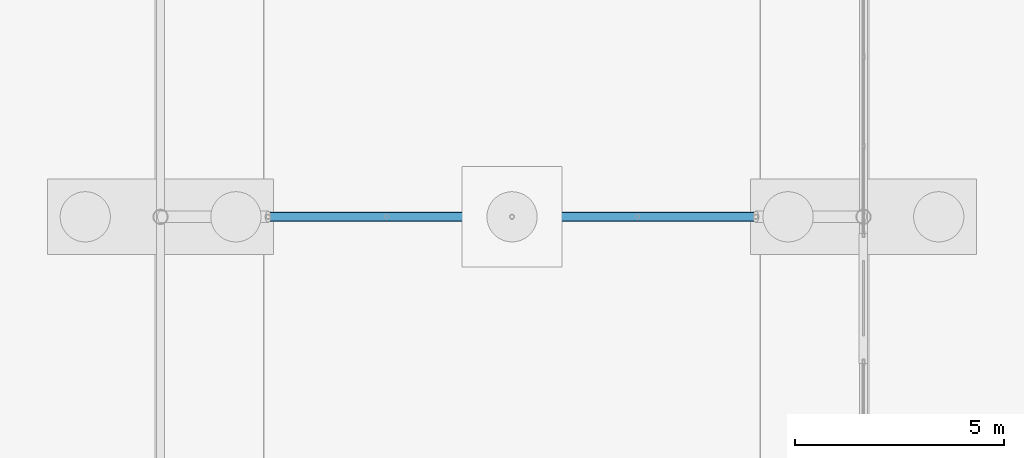
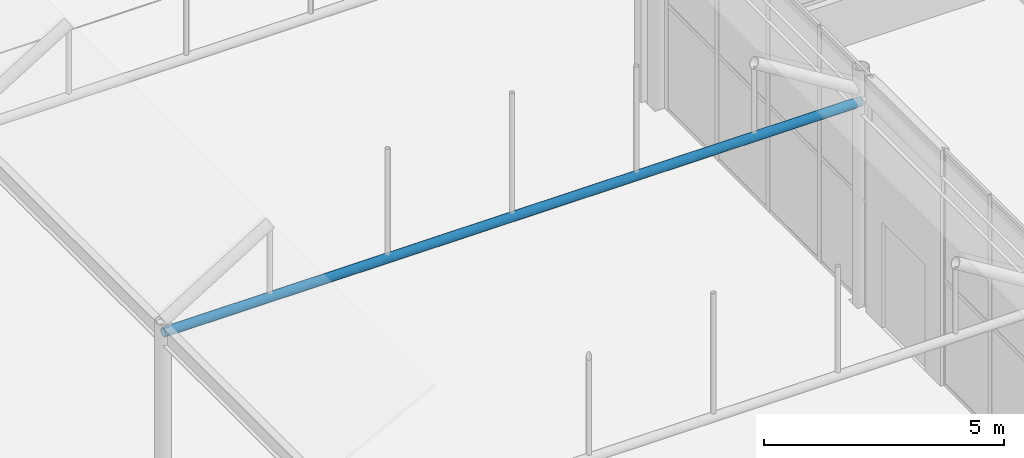
# One storey, part 132 of 212: 1 beam.
"""IFC4 building model written with IfcOpenShell, lengths in metres."""

from ifc_helpers import new_model, si_unit, direction, frame, origin, origin_2d, place, context, subcontext, project, spatial, hollow_circle, extrude, material, material_profile, profile_set, type_object, element, save


model = new_model("IFC4")

# Units and contexts
model_context = context("Model", 3, precision=1e-05, world=origin(), true_north=direction((0.0, 1.0)))
body_context = subcontext(model_context, "Body", "Model", "MODEL_VIEW")
ifc_project = project(units=[si_unit("LENGTHUNIT", "METRE"), si_unit("AREAUNIT", "SQUARE_METRE"), si_unit("VOLUMEUNIT", "CUBIC_METRE"), si_unit("PLANEANGLEUNIT", "RADIAN"), si_unit("MASSUNIT", "GRAM", prefix="KILO")], contexts=[model_context])

# Site, building, storey
site_placement = place(None, origin())
site = spatial("IfcSite", under=ifc_project, at=site_placement, CompositionType="ELEMENT")
building_placement = place(site_placement, origin())
building = spatial("IfcBuilding", under=site, at=building_placement, Name="Catenary Quay Ferry Terminal", CompositionType="ELEMENT")
storey_placement = place(building_placement, origin())
storey = spatial("IfcBuildingStorey", under=building, at=storey_placement, Name="L00", CompositionType="ELEMENT", Elevation=0.0)

# Beam
ifc_material = material(Name="Steel S355", Category="steel")
ifc_material_profile = material_profile(ifc_material, hollow_circle(Radius=0.109619140625, WallThickness=0.010009765625, at=origin_2d()), Name="CHS 219.1x10")
ifc_profile_set = profile_set([ifc_material_profile], Name="Steel S355")
beam_type = type_object("IfcBeamType", Name="TB2 CHS 219.1x10", PredefinedType="BEAM", material=ifc_profile_set)
beam_placement = place(storey_placement, frame((8.39990234375, 134.39990234375, 5.10009765625), z_axis=(1.0, 0.0, 0.0), x_axis=(0.0, 1.0, 0.0)))
element("IfcBeam", 1, at=beam_placement, inside=storey, type_object=beam_type, Name="tie beam FC-09", PredefinedType="BEAM", context=body_context, shape_type="SweptSolid", body=[
    extrude(hollow_circle(Radius=0.109619140625, WallThickness=0.010009765625, at=origin_2d()), origin(), (0.0, 0.0, 1.0), 16.800048828125),
])

save(model, "model.ifc")
